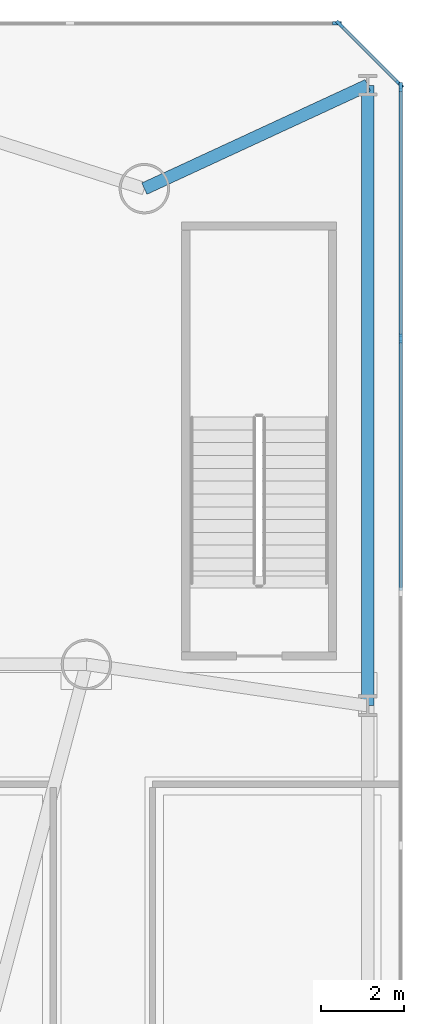
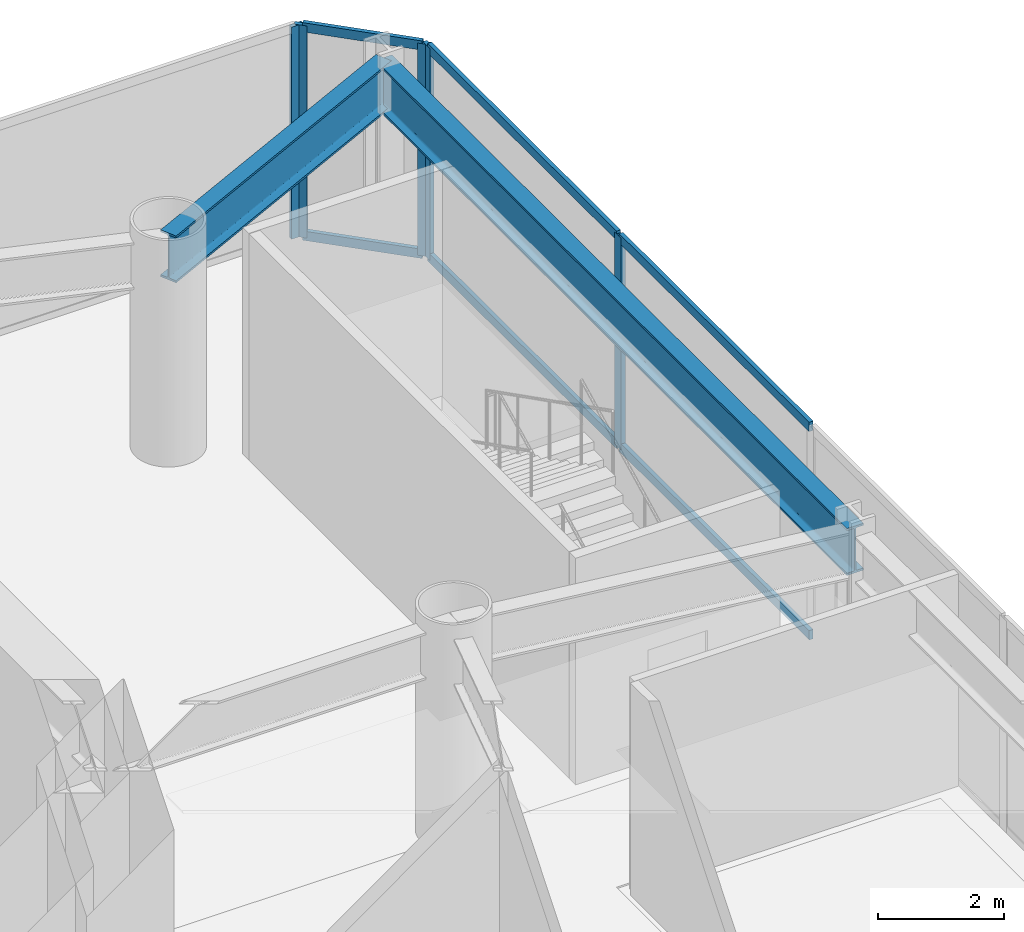
# One storey, part 11 of 24: 11 members, 2 beams, 3 elements without a shape of their own.
"""IFC4 building model written with IfcOpenShell, lengths in metres."""

from ifc_helpers import new_model, si_unit, direction, frame, origin, origin_2d, place, context, subcontext, project, spatial, rectangle, i_section, extrude, source, transform, mapped, material, layer, layer_set, material_profile, profile_set, type_object, element, aggregate, save


model = new_model("IFC4")

# Units and contexts
model_context = context("Model", 3, precision=1e-05, world=origin(), true_north=direction((0.0, 1.0)))
body_context = subcontext(model_context, "Body", "Model", "MODEL_VIEW")
ifc_project = project(units=[si_unit("LENGTHUNIT", "METRE"), si_unit("AREAUNIT", "SQUARE_METRE"), si_unit("VOLUMEUNIT", "CUBIC_METRE"), si_unit("PLANEANGLEUNIT", "RADIAN"), si_unit("MASSUNIT", "GRAM", prefix="KILO")], contexts=[model_context])

# Site, building, storey
site_placement = place(None, origin())
site = spatial("IfcSite", under=ifc_project, at=site_placement, CompositionType="ELEMENT")
building_placement = place(site_placement, origin())
building = spatial("IfcBuilding", under=site, at=building_placement, Name="Vaeldorn Concourse Tower", CompositionType="ELEMENT")
storey_placement = place(building_placement, frame((0.0, 0.0, 5.60009765625)))
storey = spatial("IfcBuildingStorey", under=building, at=storey_placement, Name="L01", CompositionType="ELEMENT", Elevation=5.60009765625)

# Beams
ifc_material_1 = material(Name="Steel S355", Category="steel")
ifc_material_profile_1 = material_profile(ifc_material_1, i_section(OverallWidth=0.302001953125, OverallDepth=0.909912109375, WebThickness=0.02099609375, FlangeThickness=0.0400390625, FilletRadius=0.030029296875, at=origin_2d()), Name="HEM 900")
ifc_profile_set_1 = profile_set([ifc_material_profile_1], Name="Steel S355")
beam_type = type_object("IfcBeamType", Name="BM-PG-HEM900", PredefinedType="BEAM", material=ifc_profile_set_1)
shared_shape_1 = source(origin(), body_context, "Body", "SweptSolid", [
    extrude(i_section(OverallWidth=0.302001953125, OverallDepth=0.909912109375, WebThickness=0.02099609375, FlangeThickness=0.0400390625, FilletRadius=0.030029296875, at=origin_2d()), origin(), (0.0, 0.0, 1.0), 15.0),
])
beam_1_placement = place(storey_placement, frame((67.199951171875, 35.5, 3.664794921875), z_axis=(0.0, 1.0, 0.0), x_axis=(-1.0, 0.0, 0.0)))
element("IfcBeam", 1, at=beam_1_placement, inside=storey, type_object=beam_type, Name="Beam BM-L01-C-PE3-C-PE4", PredefinedType="BEAM", context=body_context, shape_type="MappedRepresentation", body=[
    mapped(shared_shape_1, transform((0.0, 0.0, 0.0), scale=1.0)),
])
shared_shape_2 = source(origin(), body_context, "Body", "SweptSolid", [
    extrude(i_section(OverallWidth=0.302001953125, OverallDepth=0.909912109375, WebThickness=0.02099609375, FlangeThickness=0.0400390625, FilletRadius=0.030029296875, at=origin_2d()), origin(), (0.0, 0.0, 1.0), 5.950439453125),
])
beam_2_placement = place(storey_placement, frame((61.800048828125, 48.0, 3.664794921875), z_axis=(0.907464010437, 0.420129824888, 0.0), x_axis=(-0.420129824888, 0.907464010437, 0.0)))
element("IfcBeam", 2, at=beam_2_placement, inside=storey, type_object=beam_type, Name="Beam BM-L01-C-NE1-C-PE4", PredefinedType="BEAM", context=body_context, shape_type="MappedRepresentation", body=[
    mapped(shared_shape_2, transform((0.0, 0.0, 0.0), scale=1.0)),
])

# Curtain wall, members
ifc_material_2 = material(Name="Anodised Bronze Aluminium", Category="aluminium")
ifc_layer = layer(ifc_material_2, 0.239990234375)
ifc_layer_set = layer_set([ifc_layer], Name="Anodised Bronze Aluminium")
curtain_wall_type = type_object("IfcCurtainWallType", Name="CW-SYS-04", PredefinedType="NOTDEFINED", material=ifc_layer_set)
curtain_wall_1_placement = place(storey_placement, origin())
curtain_wall_1 = element("IfcCurtainWall", 3, at=curtain_wall_1_placement, inside=storey, type_object=curtain_wall_type, Name="Unitised Curtain Wall CW-L01-E03-1", PredefinedType="NOTDEFINED")
ifc_material_profile_2 = material_profile(ifc_material_2, rectangle(XDim=0.074951171875, YDim=0.219970703125, at=origin_2d()), Name="CWM 75x220")
ifc_profile_set_2 = profile_set([ifc_material_profile_2], Name="Anodised Bronze Aluminium")
member_type_1 = type_object("IfcMemberType", Name="CWM-BRONZE-220", PredefinedType="MULLION", material=ifc_profile_set_2)
shared_shape_3 = source(origin(), body_context, "Body", "SweptSolid", [
    extrude(rectangle(XDim=0.074951171875, YDim=0.219970703125, at=origin_2d()), origin(), (0.0, 0.0, 1.0), 4.119873046875),
])
member_1_placement = place(storey_placement, frame((68.0, 44.375, 0.0), z_axis=(0.0, 0.0, 1.0), x_axis=(-1.0, 0.0, 0.0)))
member_1 = element("IfcMember", 4, at=member_1_placement, type_object=member_type_1, Name="CW-04 mullion 8", PredefinedType="MULLION", context=body_context, shape_type="MappedRepresentation", body=[
    mapped(shared_shape_3, transform((0.0, 0.0, 0.0), scale=1.0)),
])
member_2_placement = place(storey_placement, frame((68.0, 50.46240234375, 0.0), z_axis=(0.0, 0.0, 1.0), x_axis=(-1.0, 0.0, 0.0)))
member_2 = element("IfcMember", 5, at=member_2_placement, type_object=member_type_1, Name="CW-04 mullion 9", PredefinedType="MULLION", context=body_context, shape_type="MappedRepresentation", body=[
    mapped(shared_shape_3, transform((0.0, 0.0, 0.0), scale=1.0)),
])

curtain_wall_2_placement = place(storey_placement, origin())
curtain_wall_2 = element("IfcCurtainWall", 6, at=curtain_wall_2_placement, inside=storey, type_object=curtain_wall_type, Name="Unitised Curtain Wall CW-L01-E04-1", PredefinedType="NOTDEFINED")
member_3_placement = place(storey_placement, frame((67.973388671875, 50.526611328125, 0.0), z_axis=(0.0, 0.0, 1.0), x_axis=(-0.707106781187, -0.707106781187, 0.0)))
member_3 = element("IfcMember", 7, at=member_3_placement, type_object=member_type_1, Name="CW-04 mullion 1", PredefinedType="MULLION", context=body_context, shape_type="MappedRepresentation", body=[
    mapped(shared_shape_3, transform((0.0, 0.0, 0.0), scale=1.0)),
])
member_4_placement = place(storey_placement, frame((66.526611328125, 51.973388671875, 0.0), z_axis=(0.0, 0.0, 1.0), x_axis=(-0.707106781187, -0.707106781187, 0.0)))
member_4 = element("IfcMember", 8, at=member_4_placement, type_object=member_type_1, Name="CW-04 mullion 2", PredefinedType="MULLION", context=body_context, shape_type="MappedRepresentation", body=[
    mapped(shared_shape_3, transform((0.0, 0.0, 0.0), scale=1.0)),
])

# Curtain wall, member
curtain_wall_3_placement = place(storey_placement, origin())
curtain_wall_3 = element("IfcCurtainWall", 9, at=curtain_wall_3_placement, inside=storey, type_object=curtain_wall_type, Name="Unitised Curtain Wall CW-L01-E05-1", PredefinedType="NOTDEFINED")
member_5_placement = place(storey_placement, frame((66.46240234375, 52.0, 0.0), z_axis=(0.0, 0.0, 1.0), x_axis=(0.0, -1.0, 0.0)))
member_5 = element("IfcMember", 10, at=member_5_placement, type_object=member_type_1, Name="CW-04 mullion 1", PredefinedType="MULLION", context=body_context, shape_type="MappedRepresentation", body=[
    mapped(shared_shape_3, transform((0.0, 0.0, 0.0), scale=1.0)),
])
aggregate(curtain_wall_3, [member_5])

# Member
ifc_material_profile_3 = material_profile(ifc_material_2, rectangle(XDim=0.074951171875, YDim=0.179931640625, at=origin_2d()), Name="CWT 75x180")
ifc_profile_set_3 = profile_set([ifc_material_profile_3], Name="Anodised Bronze Aluminium")
member_type_2 = type_object("IfcMemberType", Name="CWT-BRONZE-180", PredefinedType="USERDEFINED", material=ifc_profile_set_3)
shared_shape_4 = source(origin(), body_context, "Body", "SweptSolid", [
    extrude(rectangle(XDim=0.074951171875, YDim=0.179931640625, at=origin_2d()), origin(), (0.0, 0.0, 1.0), 1.971435546875),
])
member_6_placement = place(storey_placement, frame((67.947021484375, 50.552978515625, 0.037353515625), z_axis=(-0.707106781187, 0.707106781187, 0.0), x_axis=(-0.707106781187, -0.707106781187, 0.0)))
member_6 = element("IfcMember", 11, at=member_6_placement, type_object=member_type_2, Name="CW-04 transom 1.1", ObjectType="TRANSOM", PredefinedType="USERDEFINED", context=body_context, shape_type="MappedRepresentation", body=[
    mapped(shared_shape_4, transform((0.0, 0.0, 0.0), scale=1.0)),
])

member_7_placement = place(storey_placement, frame((67.947021484375, 50.552978515625, 4.08251953125), z_axis=(-0.707106781187, 0.707106781187, 0.0), x_axis=(-0.707106781187, -0.707106781187, 0.0)))
member_7 = element("IfcMember", 12, at=member_7_placement, type_object=member_type_2, Name="CW-04 transom 1.2", ObjectType="TRANSOM", PredefinedType="USERDEFINED", context=body_context, shape_type="MappedRepresentation", body=[
    mapped(shared_shape_4, transform((0.0, 0.0, 0.0), scale=1.0)),
])

aggregate(curtain_wall_2, [member_3, member_4, member_6, member_7])

shared_shape_5 = source(origin(), body_context, "Body", "SweptSolid", [
    extrude(rectangle(XDim=0.074951171875, YDim=0.179931640625, at=origin_2d()), origin(), (0.0, 0.0, 1.0), 6.012451171875),
])
member_8_placement = place(storey_placement, frame((68.0, 44.41259765625, 0.037353515625), z_axis=(0.0, 1.0, 0.0), x_axis=(-1.0, 0.0, 0.0)))
member_8 = element("IfcMember", 13, at=member_8_placement, type_object=member_type_2, Name="CW-04 transom 8.1", ObjectType="TRANSOM", PredefinedType="USERDEFINED", context=body_context, shape_type="MappedRepresentation", body=[
    mapped(shared_shape_5, transform((0.0, 0.0, 0.0), scale=1.0)),
])

member_9_placement = place(storey_placement, frame((68.0, 44.41259765625, 4.08251953125), z_axis=(0.0, 1.0, 0.0), x_axis=(-1.0, 0.0, 0.0)))
member_9 = element("IfcMember", 14, at=member_9_placement, type_object=member_type_2, Name="CW-04 transom 8.2", ObjectType="TRANSOM", PredefinedType="USERDEFINED", context=body_context, shape_type="MappedRepresentation", body=[
    mapped(shared_shape_5, transform((0.0, 0.0, 0.0), scale=1.0)),
])

shared_shape_6 = source(origin(), body_context, "Body", "SweptSolid", [
    extrude(rectangle(XDim=0.074951171875, YDim=0.179931640625, at=origin_2d()), origin(), (0.0, 0.0, 1.0), 6.0498046875),
])
member_10_placement = place(storey_placement, frame((68.0, 38.28759765625, 0.037353515625), z_axis=(0.0, 1.0, 0.0), x_axis=(-1.0, 0.0, 0.0)))
member_10 = element("IfcMember", 15, at=member_10_placement, type_object=member_type_2, Name="CW-04 transom 7.1", ObjectType="TRANSOM", PredefinedType="USERDEFINED", context=body_context, shape_type="MappedRepresentation", body=[
    mapped(shared_shape_6, transform((0.0, 0.0, 0.0), scale=1.0)),
])

member_11_placement = place(storey_placement, frame((68.0, 38.28759765625, 4.08251953125), z_axis=(0.0, 1.0, 0.0), x_axis=(-1.0, 0.0, 0.0)))
member_11 = element("IfcMember", 16, at=member_11_placement, type_object=member_type_2, Name="CW-04 transom 7.2", ObjectType="TRANSOM", PredefinedType="USERDEFINED", context=body_context, shape_type="MappedRepresentation", body=[
    mapped(shared_shape_6, transform((0.0, 0.0, 0.0), scale=1.0)),
])

aggregate(curtain_wall_1, [member_1, member_2, member_10, member_11, member_8, member_9])

save(model, "model.ifc")
